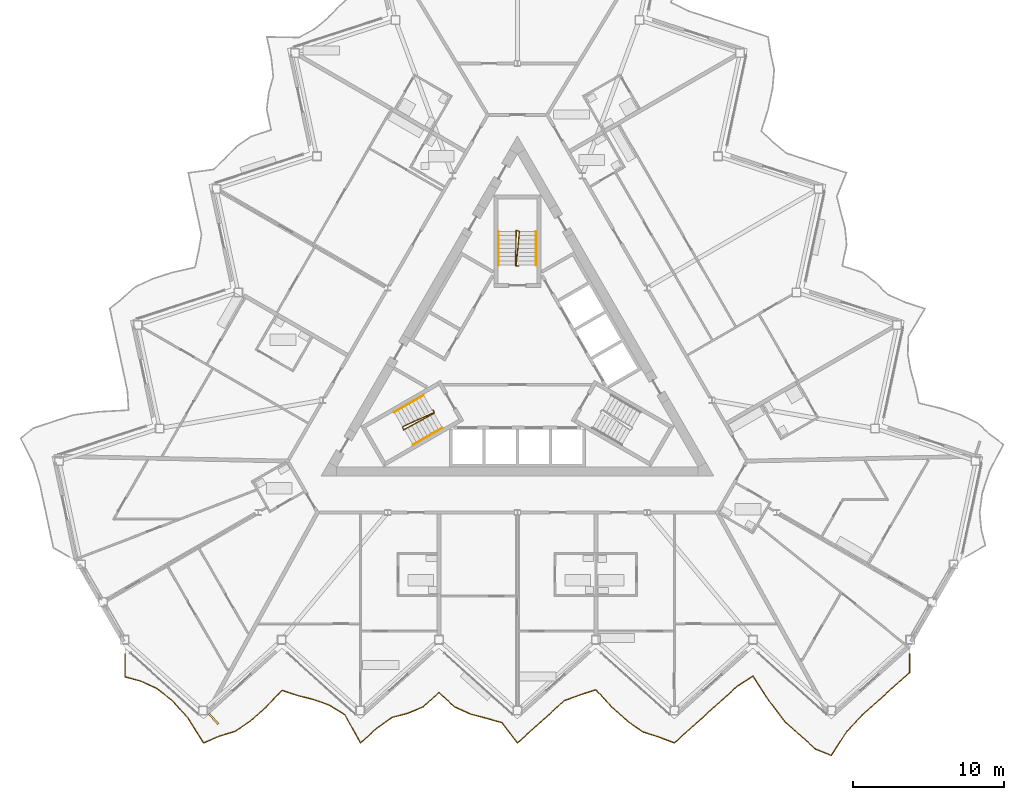
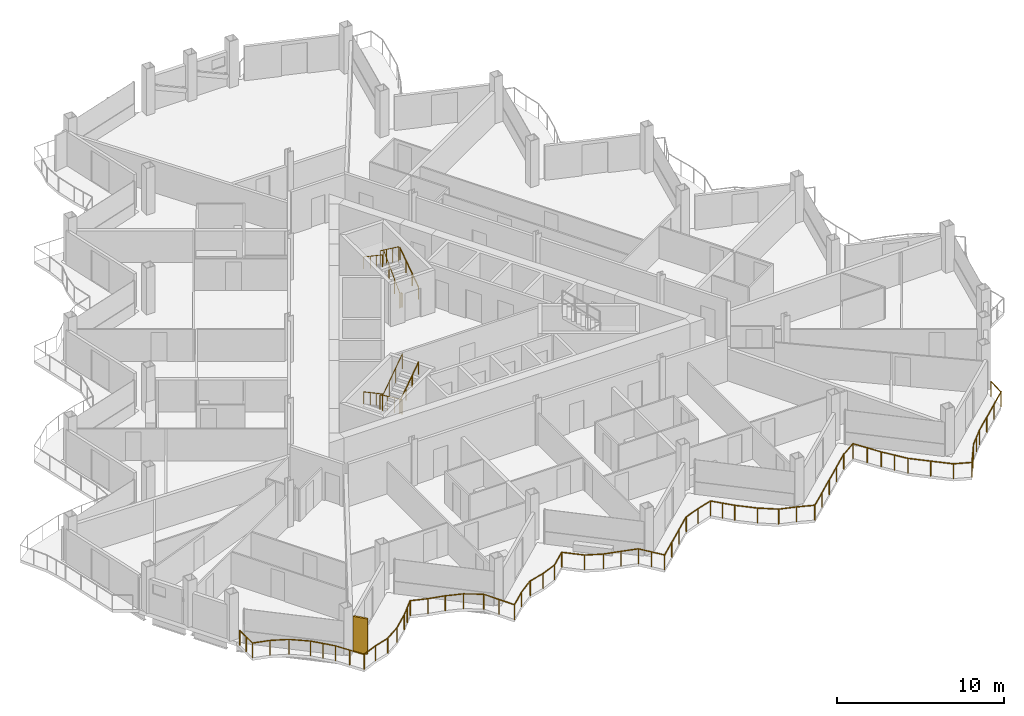
# One storey, part 23 of 27: 7 railings, 1 shading device.
"""IFC4 building model written with IfcOpenShell, lengths in metres."""

from ifc_helpers import new_model, si_unit, direction, frame, origin, origin_2d, place, context, subcontext, project, spatial, rectangle, circle, extrude, material, layer, layer_set, type_object, element, save


model = new_model("IFC4")

# Units and contexts
model_context = context("Model", 3, precision=1e-05, world=origin(), true_north=direction((0.0, 1.0)))
body_context = subcontext(model_context, "Body", "Model", "MODEL_VIEW")
ifc_project = project(units=[si_unit("LENGTHUNIT", "METRE"), si_unit("AREAUNIT", "SQUARE_METRE"), si_unit("VOLUMEUNIT", "CUBIC_METRE"), si_unit("PLANEANGLEUNIT", "RADIAN"), si_unit("MASSUNIT", "GRAM", prefix="KILO")], contexts=[model_context])

# Site, building, storey
site_placement = place(None, origin())
site = spatial("IfcSite", under=ifc_project, at=site_placement, CompositionType="ELEMENT")
building_placement = place(site_placement, origin())
building = spatial("IfcBuilding", under=site, at=building_placement, Name="Cormorant Prow Tower", CompositionType="ELEMENT")
storey_placement = place(building_placement, frame((0.0, 0.0, 312.0)))
storey = spatial("IfcBuildingStorey", under=building, at=storey_placement, Name="L68", CompositionType="ELEMENT", Elevation=312.0)

# Railings
ifc_material_1 = material(Name="Aluminium 6063-T6", Category="aluminium")
railing_type_1 = type_object("IfcRailingType", Name="Balcony guard 1100", PredefinedType="GUARDRAIL", material=ifc_material_1)
railing_1_placement = place(storey_placement, frame((-25.964111328125, -19.2666015625, 0.0)))
element("IfcRailing", 1, at=railing_1_placement, inside=storey, type_object=railing_type_1, Name="Balcony guard S", PredefinedType="GUARDRAIL", context=body_context, shape_type="SweptSolid", body=[
    extrude(circle(Radius=0.02392578125, at=origin_2d()), frame((0.0, 0.0, 1.076171875), z_axis=(0.0, -1.0, 0.0), x_axis=(1.0, 0.0, 0.0)), (0.0, 0.0, 1.0), 1.52001953125),
    extrude(circle(Radius=0.02392578125, at=origin_2d()), frame((0.0, -1.52001953125, 1.076171875), z_axis=(0.964831830716, -0.262867910625, 0.0), x_axis=(0.262867910625, 0.964831830716, 0.0)), (0.0, 0.0, 1.0), 1.076416015625),
    extrude(circle(Radius=0.02392578125, at=origin_2d()), frame((1.03857421875, -1.802978515625, 1.076171875), z_axis=(0.909529903983, -0.415638489267, 0.0), x_axis=(0.415638489267, 0.909529903983, 0.0)), (0.0, 0.0, 1.0), 1.141845703125),
    extrude(circle(Radius=0.02392578125, at=origin_2d()), frame((2.0771484375, -2.277587890625, 1.076171875), z_axis=(0.791751393424, -0.610843458679, 0.0), x_axis=(0.610843458679, 0.791751393424, 0.0)), (0.0, 0.0, 1.0), 1.311767578125),
    extrude(circle(Radius=0.02392578125, at=origin_2d()), frame((3.11572265625, -3.078857421875, 1.076171875), z_axis=(0.664654722426, -0.747150654123, 0.0), x_axis=(0.747150654123, 0.664654722426, 0.0)), (0.0, 0.0, 1.0), 1.5625),
    extrude(circle(Radius=0.02392578125, at=origin_2d()), frame((4.154296875, -4.246337890625, 1.076171875), z_axis=(0.532889683399, -0.846184722934, 0.0), x_axis=(0.846184722934, 0.532889683399, 0.0)), (0.0, 0.0, 1.0), 1.948974609375),
    extrude(circle(Radius=0.02392578125, at=origin_2d()), frame((5.19287109375, -5.8955078125, 1.076171875), z_axis=(0.918608052251, 0.395169895538, 0.0), x_axis=(-0.395169895538, 0.918608052251, 0.0)), (0.0, 0.0, 1.0), 1.130615234375),
    extrude(circle(Radius=0.02392578125, at=origin_2d()), frame((6.2314453125, -5.44873046875, 1.076171875), z_axis=(0.956152439164, 0.292869447163, 0.0), x_axis=(-0.292869447163, 0.956152439164, 0.0)), (0.0, 0.0, 1.0), 1.086181640625),
    extrude(circle(Radius=0.02392578125, at=origin_2d()), frame((7.27001953125, -5.130615234375, 1.076171875), z_axis=(0.832772402208, 0.553615503866, 0.0), x_axis=(-0.553615503866, 0.832772402208, 0.0)), (0.0, 0.0, 1.0), 1.2470703125),
    extrude(circle(Radius=0.02392578125, at=origin_2d()), frame((8.30859375, -4.440185546875, 1.076171875), z_axis=(0.743172519809, 0.669099847407, 0.0), x_axis=(-0.669099847407, 0.743172519809, 0.0)), (0.0, 0.0, 1.0), 1.3974609375),
    extrude(circle(Radius=0.02392578125, at=origin_2d()), frame((9.34716796875, -3.505126953125, 1.076171875), z_axis=(0.688817563116, 0.724934731368, 0.0), x_axis=(-0.724934731368, 0.688817563116, 0.0)), (0.0, 0.0, 1.0), 1.50732421875),
    extrude(circle(Radius=0.02392578125, at=origin_2d()), frame((10.385498046875, -2.412353515625, 1.076171875), z_axis=(0.948370798801, -0.317163724252, 0.0), x_axis=(0.317163724252, 0.948370798801, 0.0)), (0.0, 0.0, 1.0), 1.095458984375),
    extrude(circle(Radius=0.02392578125, at=origin_2d()), frame((11.42431640625, -2.759765625, 1.076171875), z_axis=(0.970490410078, -0.241139718724, 0.0), x_axis=(0.241139718724, 0.970490410078, 0.0)), (0.0, 0.0, 1.0), 1.070068359375),
    extrude(circle(Radius=0.02392578125, at=origin_2d()), frame((12.462890625, -3.017822265625, 1.076171875), z_axis=(0.942785531899, -0.333399821297, 0.0), x_axis=(0.333399821297, 0.942785531899, 0.0)), (0.0, 0.0, 1.0), 1.101318359375),
    extrude(circle(Radius=0.02392578125, at=origin_2d()), frame((13.501220703125, -3.385009765625, 1.076171875), z_axis=(0.850035108532, -0.526726033402, 0.0), x_axis=(0.526726033402, 0.850035108532, 0.0)), (0.0, 0.0, 1.0), 1.2216796875),
    extrude(circle(Radius=0.02392578125, at=origin_2d()), frame((14.539794921875, -4.028564453125, 1.076171875), z_axis=(0.486224960998, -0.873833672562, 0.0), x_axis=(0.873833672562, 0.486224960998, 0.0)), (0.0, 0.0, 1.0), 2.136474609375),
    extrude(circle(Radius=0.02392578125, at=origin_2d()), frame((15.57861328125, -5.8955078125, 1.076171875), z_axis=(0.743094292463, 0.669186724696, 0.0), x_axis=(-0.669186724696, 0.743094292463, 0.0)), (0.0, 0.0, 1.0), 1.397216796875),
    extrude(circle(Radius=0.02392578125, at=origin_2d()), frame((16.616943359375, -4.96044921875, 1.076171875), z_axis=(0.809352688534, 0.587322931242, 0.0), x_axis=(-0.587322931242, 0.809352688534, 0.0)), (0.0, 0.0, 1.0), 1.283203125),
    extrude(circle(Radius=0.02392578125, at=origin_2d()), frame((17.655517578125, -4.206787109375, 1.076171875), z_axis=(0.96810124115, 0.250559348027, 0.0), x_axis=(-0.250559348027, 0.96810124115, 0.0)), (0.0, 0.0, 1.0), 1.07275390625),
    extrude(circle(Radius=0.02392578125, at=origin_2d()), frame((18.694091796875, -3.93798828125, 1.076171875), z_axis=(0.92303840106, 0.384707824419, 0.0), x_axis=(-0.384707824419, 0.92303840106, 0.0)), (0.0, 0.0, 1.0), 1.125244140625),
    extrude(circle(Radius=0.02392578125, at=origin_2d()), frame((19.732666015625, -3.505126953125, 1.076171875), z_axis=(0.743085653119, 0.669196318077, 0.0), x_axis=(-0.669196318077, 0.743085653119, 0.0)), (0.0, 0.0, 1.0), 1.397705078125),
    extrude(circle(Radius=0.02392578125, at=origin_2d()), frame((20.771240234375, -2.56982421875, 1.076171875), z_axis=(0.743085653119, -0.669196318077, 0.0), x_axis=(0.669196318077, 0.743085653119, 0.0)), (0.0, 0.0, 1.0), 1.397705078125),
    extrude(circle(Radius=0.02392578125, at=origin_2d()), frame((21.809814453125, -3.505126953125, 1.076171875), z_axis=(0.908963631122, -0.416875421796, 0.0), x_axis=(0.416875421796, 0.908963631122, 0.0)), (0.0, 0.0, 1.0), 1.142578125),
    extrude(circle(Radius=0.02392578125, at=origin_2d()), frame((22.848388671875, -3.9814453125, 1.076171875), z_axis=(0.966989093264, -0.254817765291, 0.0), x_axis=(0.254817765291, 0.966989093264, 0.0)), (0.0, 0.0, 1.0), 1.073974609375),
    extrude(circle(Radius=0.02392578125, at=origin_2d()), frame((23.886962890625, -4.255126953125, 1.076171875), z_axis=(0.962085193341, -0.272749116871, 0.0), x_axis=(0.272749116871, 0.962085193341, 0.0)), (0.0, 0.0, 1.0), 1.07958984375),
    extrude(circle(Radius=0.02392578125, at=origin_2d()), frame((24.925537109375, -4.549560546875, 1.076171875), z_axis=(0.610903768439, -0.791704860227, 0.0), x_axis=(0.791704860227, 0.610903768439, 0.0)), (0.0, 0.0, 1.0), 1.699951171875),
    extrude(circle(Radius=0.02392578125, at=origin_2d()), frame((25.964111328125, -5.8955078125, 1.076171875), z_axis=(0.743172519809, 0.669099847407, 0.0), x_axis=(-0.669099847407, 0.743172519809, 0.0)), (0.0, 0.0, 1.0), 1.3974609375),
    extrude(circle(Radius=0.02392578125, at=origin_2d()), frame((27.002685546875, -4.96044921875, 1.076171875), z_axis=(0.743172519809, 0.669099847407, 0.0), x_axis=(-0.669099847407, 0.743172519809, 0.0)), (0.0, 0.0, 1.0), 1.3974609375),
    extrude(circle(Radius=0.02392578125, at=origin_2d()), frame((28.041259765625, -4.025390625, 1.076171875), z_axis=(0.743085653119, 0.669196318077, 0.0), x_axis=(-0.669196318077, 0.743085653119, 0.0)), (0.0, 0.0, 1.0), 1.397705078125),
    extrude(circle(Radius=0.02392578125, at=origin_2d()), frame((29.079833984375, -3.090087890625, 1.076171875), z_axis=(0.939786973148, 0.341760801001, 0.0), x_axis=(-0.341760801001, 0.939786973148, 0.0)), (0.0, 0.0, 1.0), 1.105224609375),
    extrude(circle(Radius=0.02392578125, at=origin_2d()), frame((30.118408203125, -2.71240234375, 1.076171875), z_axis=(0.951790825534, 0.306747818948, 0.0), x_axis=(-0.306747818948, 0.951790825534, 0.0)), (0.0, 0.0, 1.0), 1.091064453125),
    extrude(circle(Radius=0.02392578125, at=origin_2d()), frame((31.156982421875, -2.377685546875, 1.076171875), z_axis=(0.677525640029, -0.735499155067, 0.0), x_axis=(0.735499155067, 0.677525640029, 0.0)), (0.0, 0.0, 1.0), 1.532958984375),
    extrude(circle(Radius=0.02392578125, at=origin_2d()), frame((32.195556640625, -3.505126953125, 1.076171875), z_axis=(0.743172519809, -0.669099847407, 0.0), x_axis=(0.669099847407, 0.743172519809, 0.0)), (0.0, 0.0, 1.0), 1.3974609375),
    extrude(circle(Radius=0.02392578125, at=origin_2d()), frame((33.234130859375, -4.440185546875, 1.076171875), z_axis=(0.819213825821, -0.573488193064, 0.0), x_axis=(0.573488193064, 0.819213825821, 0.0)), (0.0, 0.0, 1.0), 1.267822265625),
    extrude(circle(Radius=0.02392578125, at=origin_2d()), frame((34.272705078125, -5.167236328125, 1.076171875), z_axis=(0.953219614945, -0.302278622605, 0.0), x_axis=(0.302278622605, 0.953219614945, 0.0)), (0.0, 0.0, 1.0), 1.089599609375),
    extrude(circle(Radius=0.02392578125, at=origin_2d()), frame((35.311279296875, -5.49658203125, 1.076171875), z_axis=(0.933475652817, -0.358640775148, 0.0), x_axis=(0.358640775148, 0.933475652817, 0.0)), (0.0, 0.0, 1.0), 1.1123046875),
    extrude(circle(Radius=0.02392578125, at=origin_2d()), frame((36.349609375, -5.8955078125, 1.076171875), z_axis=(0.743250716693, 0.669012983533, 0.0), x_axis=(-0.669012983533, 0.743250716693, 0.0)), (0.0, 0.0, 1.0), 1.397705078125),
    extrude(circle(Radius=0.02392578125, at=origin_2d()), frame((37.388427734375, -4.96044921875, 1.076171875), z_axis=(0.743172519809, 0.669099847407, 0.0), x_axis=(-0.669099847407, 0.743172519809, 0.0)), (0.0, 0.0, 1.0), 1.3974609375),
    extrude(circle(Radius=0.02392578125, at=origin_2d()), frame((38.427001953125, -4.025390625, 1.076171875), z_axis=(0.743007412363, 0.669283187577, 0.0), x_axis=(-0.669283187577, 0.743007412363, 0.0)), (0.0, 0.0, 1.0), 1.3974609375),
    extrude(circle(Radius=0.02392578125, at=origin_2d()), frame((39.46533203125, -3.090087890625, 1.076171875), z_axis=(0.743172519809, 0.669099847407, 0.0), x_axis=(-0.669099847407, 0.743172519809, 0.0)), (0.0, 0.0, 1.0), 1.3974609375),
    extrude(circle(Radius=0.02392578125, at=origin_2d()), frame((40.50390625, -2.155029296875, 1.076171875), z_axis=(0.835357772221, 0.549706642119, 0.0), x_axis=(-0.549706642119, 0.835357772221, 0.0)), (0.0, 0.0, 1.0), 1.24365234375),
    extrude(circle(Radius=0.02392578125, at=origin_2d()), frame((41.542724609375, -1.471435546875, 1.076171875), z_axis=(0.54587228611, -0.837868394951, 0.0), x_axis=(0.837868394951, 0.54587228611, 0.0)), (0.0, 0.0, 1.0), 1.902099609375),
    extrude(circle(Radius=0.02392578125, at=origin_2d()), frame((42.5810546875, -3.065185546875, 1.076171875), z_axis=(0.602716832864, -0.797955148728, 0.0), x_axis=(0.797955148728, 0.602716832864, 0.0)), (0.0, 0.0, 1.0), 1.72314453125),
    extrude(circle(Radius=0.02392578125, at=origin_2d()), frame((43.61962890625, -4.440185546875, 1.076171875), z_axis=(0.743172519809, -0.669099847407, 0.0), x_axis=(0.669099847407, 0.743172519809, 0.0)), (0.0, 0.0, 1.0), 1.3974609375),
    extrude(circle(Radius=0.02392578125, at=origin_2d()), frame((44.658203125, -5.375244140625, 1.076171875), z_axis=(0.746043449511, -0.665897267934, 0.0), x_axis=(0.665897267934, 0.746043449511, 0.0)), (0.0, 0.0, 1.0), 1.39208984375),
    extrude(circle(Radius=0.02392578125, at=origin_2d()), frame((45.69677734375, -6.30224609375, 1.076171875), z_axis=(0.926556741074, -0.37615502864, 0.0), x_axis=(0.37615502864, 0.926556741074, 0.0)), (0.0, 0.0, 1.0), 1.120849609375),
    extrude(circle(Radius=0.02392578125, at=origin_2d()), frame((46.7353515625, -6.723876953125, 1.076171875), z_axis=(0.543622130195, 0.839330077837, 0.0), x_axis=(-0.839330077837, 0.543622130195, 0.0)), (0.0, 0.0, 1.0), 1.910400390625),
    extrude(circle(Radius=0.02392578125, at=origin_2d()), frame((47.77392578125, -5.120361328125, 1.076171875), z_axis=(0.688175287314, 0.725544467232, 0.0), x_axis=(-0.725544467232, 0.688175287314, 0.0)), (0.0, 0.0, 1.0), 1.50927734375),
    extrude(circle(Radius=0.02392578125, at=origin_2d()), frame((48.8125, -4.025390625, 1.076171875), z_axis=(0.743085653119, 0.669196318077, 0.0), x_axis=(-0.669196318077, 0.743085653119, 0.0)), (0.0, 0.0, 1.0), 1.397705078125),
    extrude(circle(Radius=0.02392578125, at=origin_2d()), frame((49.85107421875, -3.090087890625, 1.076171875), z_axis=(0.743172519809, 0.669099847407, 0.0), x_axis=(-0.669099847407, 0.743172519809, 0.0)), (0.0, 0.0, 1.0), 1.3974609375),
    extrude(circle(Radius=0.02392578125, at=origin_2d()), frame((50.8896484375, -2.155029296875, 1.076171875), z_axis=(0.743172519809, 0.669099847407, 0.0), x_axis=(-0.669099847407, 0.743172519809, 0.0)), (0.0, 0.0, 1.0), 1.3974609375),
    extrude(circle(Radius=0.02392578125, at=origin_2d()), frame((51.92822265625, -1.219970703125, 1.076171875), z_axis=(0.0, 1.0, 0.0), x_axis=(-1.0, 0.0, 0.0)), (0.0, 0.0, 1.0), 1.219970703125),
    extrude(circle(Radius=0.02099609375, at=origin_2d()), origin(), (0.0, 0.0, 1.0), 1.052001953125),
    extrude(circle(Radius=0.02099609375, at=origin_2d()), frame((0.0, -0.760009765625, 0.0)), (0.0, 0.0, 1.0), 1.052001953125),
    extrude(circle(Radius=0.02099609375, at=origin_2d()), frame((0.0, -1.52001953125, 0.0)), (0.0, 0.0, 1.0), 1.052001953125),
    extrude(circle(Radius=0.02099609375, at=origin_2d()), frame((1.03857421875, -1.802978515625, 0.0)), (0.0, 0.0, 1.0), 1.052001953125),
    extrude(circle(Radius=0.02099609375, at=origin_2d()), frame((2.0771484375, -2.277587890625, 0.0)), (0.0, 0.0, 1.0), 1.052001953125),
    extrude(circle(Radius=0.02099609375, at=origin_2d()), frame((3.11572265625, -3.078857421875, 0.0)), (0.0, 0.0, 1.0), 1.052001953125),
    extrude(circle(Radius=0.02099609375, at=origin_2d()), frame((3.635009765625, -3.66259765625, 0.0)), (0.0, 0.0, 1.0), 1.052001953125),
    extrude(circle(Radius=0.02099609375, at=origin_2d()), frame((4.154296875, -4.246337890625, 0.0)), (0.0, 0.0, 1.0), 1.052001953125),
    extrude(circle(Radius=0.02099609375, at=origin_2d()), frame((4.673583984375, -5.07080078125, 0.0)), (0.0, 0.0, 1.0), 1.052001953125),
    extrude(circle(Radius=0.02099609375, at=origin_2d()), frame((5.19287109375, -5.8955078125, 0.0)), (0.0, 0.0, 1.0), 1.052001953125),
    extrude(circle(Radius=0.02099609375, at=origin_2d()), frame((6.2314453125, -5.44873046875, 0.0)), (0.0, 0.0, 1.0), 1.052001953125),
    extrude(circle(Radius=0.02099609375, at=origin_2d()), frame((7.27001953125, -5.130615234375, 0.0)), (0.0, 0.0, 1.0), 1.052001953125),
    extrude(circle(Radius=0.02099609375, at=origin_2d()), frame((8.30859375, -4.440185546875, 0.0)), (0.0, 0.0, 1.0), 1.052001953125),
    extrude(circle(Radius=0.02099609375, at=origin_2d()), frame((9.34716796875, -3.505126953125, 0.0)), (0.0, 0.0, 1.0), 1.052001953125),
    extrude(circle(Radius=0.02099609375, at=origin_2d()), frame((9.8662109375, -2.958740234375, 0.0)), (0.0, 0.0, 1.0), 1.052001953125),
    extrude(circle(Radius=0.02099609375, at=origin_2d()), frame((10.385498046875, -2.412353515625, 0.0)), (0.0, 0.0, 1.0), 1.052001953125),
    extrude(circle(Radius=0.02099609375, at=origin_2d()), frame((11.42431640625, -2.759765625, 0.0)), (0.0, 0.0, 1.0), 1.052001953125),
    extrude(circle(Radius=0.02099609375, at=origin_2d()), frame((12.462890625, -3.017822265625, 0.0)), (0.0, 0.0, 1.0), 1.052001953125),
    extrude(circle(Radius=0.02099609375, at=origin_2d()), frame((13.501220703125, -3.385009765625, 0.0)), (0.0, 0.0, 1.0), 1.052001953125),
    extrude(circle(Radius=0.02099609375, at=origin_2d()), frame((14.539794921875, -4.028564453125, 0.0)), (0.0, 0.0, 1.0), 1.052001953125),
    extrude(circle(Radius=0.02099609375, at=origin_2d()), frame((15.05908203125, -4.9619140625, 0.0)), (0.0, 0.0, 1.0), 1.052001953125),
    extrude(circle(Radius=0.02099609375, at=origin_2d()), frame((15.57861328125, -5.8955078125, 0.0)), (0.0, 0.0, 1.0), 1.052001953125),
    extrude(circle(Radius=0.02099609375, at=origin_2d()), frame((16.616943359375, -4.96044921875, 0.0)), (0.0, 0.0, 1.0), 1.052001953125),
    extrude(circle(Radius=0.02099609375, at=origin_2d()), frame((17.655517578125, -4.206787109375, 0.0)), (0.0, 0.0, 1.0), 1.052001953125),
    extrude(circle(Radius=0.02099609375, at=origin_2d()), frame((18.694091796875, -3.93798828125, 0.0)), (0.0, 0.0, 1.0), 1.052001953125),
    extrude(circle(Radius=0.02099609375, at=origin_2d()), frame((19.732666015625, -3.505126953125, 0.0)), (0.0, 0.0, 1.0), 1.052001953125),
    extrude(circle(Radius=0.02099609375, at=origin_2d()), frame((20.771240234375, -2.56982421875, 0.0)), (0.0, 0.0, 1.0), 1.052001953125),
    extrude(circle(Radius=0.02099609375, at=origin_2d()), frame((21.809814453125, -3.505126953125, 0.0)), (0.0, 0.0, 1.0), 1.052001953125),
    extrude(circle(Radius=0.02099609375, at=origin_2d()), frame((22.848388671875, -3.9814453125, 0.0)), (0.0, 0.0, 1.0), 1.052001953125),
    extrude(circle(Radius=0.02099609375, at=origin_2d()), frame((23.886962890625, -4.255126953125, 0.0)), (0.0, 0.0, 1.0), 1.052001953125),
    extrude(circle(Radius=0.02099609375, at=origin_2d()), frame((24.925537109375, -4.549560546875, 0.0)), (0.0, 0.0, 1.0), 1.052001953125),
    extrude(circle(Radius=0.02099609375, at=origin_2d()), frame((25.44482421875, -5.22265625, 0.0)), (0.0, 0.0, 1.0), 1.052001953125),
    extrude(circle(Radius=0.02099609375, at=origin_2d()), frame((25.964111328125, -5.8955078125, 0.0)), (0.0, 0.0, 1.0), 1.052001953125),
    extrude(circle(Radius=0.02099609375, at=origin_2d()), frame((27.002685546875, -4.96044921875, 0.0)), (0.0, 0.0, 1.0), 1.052001953125),
    extrude(circle(Radius=0.02099609375, at=origin_2d()), frame((28.041259765625, -4.025390625, 0.0)), (0.0, 0.0, 1.0), 1.052001953125),
    extrude(circle(Radius=0.02099609375, at=origin_2d()), frame((29.079833984375, -3.090087890625, 0.0)), (0.0, 0.0, 1.0), 1.052001953125),
    extrude(circle(Radius=0.02099609375, at=origin_2d()), frame((30.118408203125, -2.71240234375, 0.0)), (0.0, 0.0, 1.0), 1.052001953125),
    extrude(circle(Radius=0.02099609375, at=origin_2d()), frame((31.156982421875, -2.377685546875, 0.0)), (0.0, 0.0, 1.0), 1.052001953125),
    extrude(circle(Radius=0.02099609375, at=origin_2d()), frame((31.67626953125, -2.94140625, 0.0)), (0.0, 0.0, 1.0), 1.052001953125),
    extrude(circle(Radius=0.02099609375, at=origin_2d()), frame((32.195556640625, -3.505126953125, 0.0)), (0.0, 0.0, 1.0), 1.052001953125),
    extrude(circle(Radius=0.02099609375, at=origin_2d()), frame((33.234130859375, -4.440185546875, 0.0)), (0.0, 0.0, 1.0), 1.052001953125),
    extrude(circle(Radius=0.02099609375, at=origin_2d()), frame((34.272705078125, -5.167236328125, 0.0)), (0.0, 0.0, 1.0), 1.052001953125),
    extrude(circle(Radius=0.02099609375, at=origin_2d()), frame((35.311279296875, -5.49658203125, 0.0)), (0.0, 0.0, 1.0), 1.052001953125),
    extrude(circle(Radius=0.02099609375, at=origin_2d()), frame((36.349609375, -5.8955078125, 0.0)), (0.0, 0.0, 1.0), 1.052001953125),
    extrude(circle(Radius=0.02099609375, at=origin_2d()), frame((37.388427734375, -4.96044921875, 0.0)), (0.0, 0.0, 1.0), 1.052001953125),
    extrude(circle(Radius=0.02099609375, at=origin_2d()), frame((38.427001953125, -4.025390625, 0.0)), (0.0, 0.0, 1.0), 1.052001953125),
    extrude(circle(Radius=0.02099609375, at=origin_2d()), frame((39.46533203125, -3.090087890625, 0.0)), (0.0, 0.0, 1.0), 1.052001953125),
    extrude(circle(Radius=0.02099609375, at=origin_2d()), frame((40.50390625, -2.155029296875, 0.0)), (0.0, 0.0, 1.0), 1.052001953125),
    extrude(circle(Radius=0.02099609375, at=origin_2d()), frame((41.542724609375, -1.471435546875, 0.0)), (0.0, 0.0, 1.0), 1.052001953125),
    extrude(circle(Radius=0.02099609375, at=origin_2d()), frame((42.06201171875, -2.268310546875, 0.0)), (0.0, 0.0, 1.0), 1.052001953125),
    extrude(circle(Radius=0.02099609375, at=origin_2d()), frame((42.5810546875, -3.065185546875, 0.0)), (0.0, 0.0, 1.0), 1.052001953125),
    extrude(circle(Radius=0.02099609375, at=origin_2d()), frame((43.100341796875, -3.752685546875, 0.0)), (0.0, 0.0, 1.0), 1.052001953125),
    extrude(circle(Radius=0.02099609375, at=origin_2d()), frame((43.61962890625, -4.440185546875, 0.0)), (0.0, 0.0, 1.0), 1.052001953125),
    extrude(circle(Radius=0.02099609375, at=origin_2d()), frame((44.658203125, -5.375244140625, 0.0)), (0.0, 0.0, 1.0), 1.052001953125),
    extrude(circle(Radius=0.02099609375, at=origin_2d()), frame((45.69677734375, -6.30224609375, 0.0)), (0.0, 0.0, 1.0), 1.052001953125),
    extrude(circle(Radius=0.02099609375, at=origin_2d()), frame((46.7353515625, -6.723876953125, 0.0)), (0.0, 0.0, 1.0), 1.052001953125),
    extrude(circle(Radius=0.02099609375, at=origin_2d()), frame((47.254638671875, -5.922119140625, 0.0)), (0.0, 0.0, 1.0), 1.052001953125),
    extrude(circle(Radius=0.02099609375, at=origin_2d()), frame((47.77392578125, -5.120361328125, 0.0)), (0.0, 0.0, 1.0), 1.052001953125),
    extrude(circle(Radius=0.02099609375, at=origin_2d()), frame((48.293212890625, -4.57275390625, 0.0)), (0.0, 0.0, 1.0), 1.052001953125),
    extrude(circle(Radius=0.02099609375, at=origin_2d()), frame((48.8125, -4.025390625, 0.0)), (0.0, 0.0, 1.0), 1.052001953125),
    extrude(circle(Radius=0.02099609375, at=origin_2d()), frame((49.85107421875, -3.090087890625, 0.0)), (0.0, 0.0, 1.0), 1.052001953125),
    extrude(circle(Radius=0.02099609375, at=origin_2d()), frame((50.8896484375, -2.155029296875, 0.0)), (0.0, 0.0, 1.0), 1.052001953125),
    extrude(circle(Radius=0.02099609375, at=origin_2d()), frame((51.92822265625, -1.219970703125, 0.0)), (0.0, 0.0, 1.0), 1.052001953125),
    extrude(circle(Radius=0.02099609375, at=origin_2d()), frame((51.92822265625, 0.0, 0.0)), (0.0, 0.0, 1.0), 1.052001953125),
])
ifc_material_2 = material(Name="Stainless steel", Category="steel")
railing_type_2 = type_object("IfcRailingType", Name="Stair guard 1100", PredefinedType="GUARDRAIL", material=ifc_material_2)
railing_2_placement = place(storey_placement, frame((-5.585205078125, -3.137939453125, 0.0)))
element("IfcRailing", 2, at=railing_2_placement, inside=storey, type_object=railing_type_2, Name="L68 ST1 stair guard 1", PredefinedType="GUARDRAIL", context=body_context, shape_type="SweptSolid", body=[
    extrude(circle(Radius=0.02392578125, at=origin_2d()), frame((0.0, 0.0, 1.076171875), z_axis=(0.501036270542, -0.865426285481, 0.0), x_axis=(0.865426285481, 0.501036270542, 0.0)), (0.0, 0.0, 1.0), 0.150146484375),
    extrude(circle(Radius=0.02392578125, at=origin_2d()), frame((0.0751953125, -0.1298828125, 1.076171875), z_axis=(-0.728641035543, -0.339941399566, 0.594577233152), x_axis=(0.422792438952, -0.906226546491, 0.0)), (0.0, 0.0, 1.0), 2.859130859375),
    extrude(circle(Radius=0.02392578125, at=origin_2d()), frame((-2.008056640625, -1.101806640625, 2.77587890625), z_axis=(0.275034262293, -0.961434425515, 0.0), x_axis=(0.961434425515, 0.275034262293, 0.0)), (0.0, 0.0, 1.0), 0.2060546875),
    extrude(circle(Radius=0.02392578125, at=origin_2d()), frame((-1.951416015625, -1.2998046875, 2.77587890625), z_axis=(0.704058451865, 0.386179398835, 0.595959032378), x_axis=(-0.480911908544, 0.87676891837, 0.0)), (0.0, 0.0, 1.0), 2.8525390625),
    extrude(circle(Radius=0.02099609375, at=origin_2d()), origin(), (0.0, 0.0, 1.0), 1.052001953125),
    extrude(circle(Radius=0.02099609375, at=origin_2d()), frame((0.0751953125, -0.1298828125, 0.0)), (0.0, 0.0, 1.0), 1.052001953125),
    extrude(circle(Radius=0.02099609375, at=origin_2d()), frame((-0.619140625, -0.453857421875, 0.566650390625)), (0.0, 0.0, 1.0), 1.052001953125),
    extrude(circle(Radius=0.02099609375, at=origin_2d()), frame((-1.313720703125, -0.77783203125, 1.13330078125)), (0.0, 0.0, 1.0), 1.052001953125),
    extrude(circle(Radius=0.02099609375, at=origin_2d()), frame((-2.008056640625, -1.101806640625, 1.699951171875)), (0.0, 0.0, 1.0), 1.052001953125),
    extrude(circle(Radius=0.02099609375, at=origin_2d()), frame((-1.951416015625, -1.2998046875, 1.699951171875)), (0.0, 0.0, 1.0), 1.052001953125),
    extrude(circle(Radius=0.02099609375, at=origin_2d()), frame((-1.281982421875, -0.9326171875, 2.2666015625)), (0.0, 0.0, 1.0), 1.052001953125),
    extrude(circle(Radius=0.02099609375, at=origin_2d()), frame((-0.612548828125, -0.5654296875, 2.833251953125)), (0.0, 0.0, 1.0), 1.052001953125),
    extrude(circle(Radius=0.02099609375, at=origin_2d()), frame((0.056884765625, -0.1982421875, 3.39990234375)), (0.0, 0.0, 1.0), 1.052001953125),
])
railing_3_placement = place(storey_placement, frame((0.074951171875, 6.40576171875, 0.0)))
element("IfcRailing", 3, at=railing_3_placement, inside=storey, type_object=railing_type_2, Name="L68 ST3 stair guard 1", PredefinedType="GUARDRAIL", context=body_context, shape_type="SweptSolid", body=[
    extrude(circle(Radius=0.02392578125, at=origin_2d()), frame((0.0, 0.0, 1.076171875), z_axis=(-1.0, 0.0, 0.0), x_axis=(0.0, -1.0, 0.0)), (0.0, 0.0, 1.0), 0.14990234375),
    extrude(circle(Radius=0.02392578125, at=origin_2d()), frame((-0.14990234375, 0.0, 1.076171875), z_axis=(0.069936542308, 0.800982621307, 0.594588698525), x_axis=(-0.996209839609, 0.086982500921, 0.0)), (0.0, 0.0, 1.0), 2.859130859375),
    extrude(circle(Radius=0.02392578125, at=origin_2d()), frame((0.050048828125, 2.2900390625, 2.77587890625), z_axis=(-0.970072785993, 0.242814311512, 0.0), x_axis=(-0.242814311512, -0.970072785993, 0.0)), (0.0, 0.0, 1.0), 0.2060546875),
    extrude(circle(Radius=0.02392578125, at=origin_2d()), frame((-0.14990234375, 2.340087890625, 2.77587890625), z_axis=(-0.017545750742, -0.80282508275, 0.595956402045), x_axis=(0.999761264773, -0.0218497931, 0.0)), (0.0, 0.0, 1.0), 2.8525390625),
    extrude(circle(Radius=0.02099609375, at=origin_2d()), origin(), (0.0, 0.0, 1.0), 1.052001953125),
    extrude(circle(Radius=0.02099609375, at=origin_2d()), frame((-0.14990234375, 0.0, 0.0)), (0.0, 0.0, 1.0), 1.052001953125),
    extrude(circle(Radius=0.02099609375, at=origin_2d()), frame((-0.083251953125, 0.763427734375, 0.566650390625)), (0.0, 0.0, 1.0), 1.052001953125),
    extrude(circle(Radius=0.02099609375, at=origin_2d()), frame((-0.0166015625, 1.526611328125, 1.13330078125)), (0.0, 0.0, 1.0), 1.052001953125),
    extrude(circle(Radius=0.02099609375, at=origin_2d()), frame((0.050048828125, 2.2900390625, 1.699951171875)), (0.0, 0.0, 1.0), 1.052001953125),
    extrude(circle(Radius=0.02099609375, at=origin_2d()), frame((-0.14990234375, 2.340087890625, 1.699951171875)), (0.0, 0.0, 1.0), 1.052001953125),
    extrude(circle(Radius=0.02099609375, at=origin_2d()), frame((-0.16650390625, 1.57666015625, 2.2666015625)), (0.0, 0.0, 1.0), 1.052001953125),
    extrude(circle(Radius=0.02099609375, at=origin_2d()), frame((-0.183349609375, 0.8134765625, 2.833251953125)), (0.0, 0.0, 1.0), 1.052001953125),
    extrude(circle(Radius=0.02099609375, at=origin_2d()), frame((-0.199951171875, 0.050048828125, 3.39990234375)), (0.0, 0.0, 1.0), 1.052001953125),
])
ifc_material_3 = material(Name="Stainless steel", Category="steel")
railing_type_3 = type_object("IfcRailingType", Name="Stair handrail 900", PredefinedType="HANDRAIL", material=ifc_material_3)
railing_4_placement = place(storey_placement, frame((-6.212890625, -2.150634765625, 0.18896484375)))
element("IfcRailing", 4, at=railing_4_placement, inside=storey, type_object=railing_type_3, Name="L68 ST1 stair handrail 1", PredefinedType="HANDRAIL", context=body_context, shape_type="SweptSolid", body=[
    extrude(circle(Radius=0.02392578125, at=origin_2d()), frame((0.0, 0.0, 0.8759765625), z_axis=(-0.717976596433, -0.414467486514, 0.559219375198), x_axis=(0.49994888933, -0.866054910533, 0.0)), (0.0, 0.0, 1.0), 2.701904296875),
    extrude(circle(Radius=0.02099609375, at=origin_2d()), origin(), (0.0, 0.0, 1.0), 0.851806640625),
    extrude(circle(Radius=0.02099609375, at=origin_2d()), frame((-0.646728515625, -0.373291015625, 0.503662109375)), (0.0, 0.0, 1.0), 0.851806640625),
    extrude(circle(Radius=0.02099609375, at=origin_2d()), frame((-1.293212890625, -0.74658203125, 1.00732421875)), (0.0, 0.0, 1.0), 0.851806640625),
    extrude(circle(Radius=0.02099609375, at=origin_2d()), frame((-1.93994140625, -1.119873046875, 1.510986328125)), (0.0, 0.0, 1.0), 0.851806640625),
])
railing_5_placement = place(storey_placement, frame((-6.90869140625, -5.42529296875, 1.888916015625)))
element("IfcRailing", 5, at=railing_5_placement, inside=storey, type_object=railing_type_3, Name="L68 ST1 stair handrail 2", PredefinedType="HANDRAIL", context=body_context, shape_type="SweptSolid", body=[
    extrude(circle(Radius=0.02392578125, at=origin_2d()), frame((0.0, 0.0, 0.8759765625), z_axis=(0.71790592183, 0.414569209485, 0.559234707389), x_axis=(-0.500077830873, 0.865980463445, 0.0)), (0.0, 0.0, 1.0), 2.701904296875),
    extrude(circle(Radius=0.02099609375, at=origin_2d()), origin(), (0.0, 0.0, 1.0), 0.851806640625),
    extrude(circle(Radius=0.02099609375, at=origin_2d()), frame((0.646484375, 0.373291015625, 0.503662109375)), (0.0, 0.0, 1.0), 0.851806640625),
    extrude(circle(Radius=0.02099609375, at=origin_2d()), frame((1.293212890625, 0.746826171875, 1.00732421875)), (0.0, 0.0, 1.0), 0.851806640625),
    extrude(circle(Radius=0.02099609375, at=origin_2d()), frame((1.939697265625, 1.1201171875, 1.510986328125)), (0.0, 0.0, 1.0), 0.851806640625),
])
railing_6_placement = place(storey_placement, frame((1.243896484375, 6.455810546875, 0.18896484375)))
element("IfcRailing", 6, at=railing_6_placement, inside=storey, type_object=railing_type_3, Name="L68 ST3 stair handrail 1", PredefinedType="HANDRAIL", context=body_context, shape_type="SweptSolid", body=[
    extrude(circle(Radius=0.02392578125, at=origin_2d()), frame((0.0, 0.0, 0.8759765625), z_axis=(0.0, 0.829021472004, 0.559216772778), x_axis=(-1.0, 0.0, 0.0)), (0.0, 0.0, 1.0), 2.701904296875),
    extrude(circle(Radius=0.02099609375, at=origin_2d()), origin(), (0.0, 0.0, 1.0), 0.851806640625),
    extrude(circle(Radius=0.02099609375, at=origin_2d()), frame((0.0, 0.74658203125, 0.503662109375)), (0.0, 0.0, 1.0), 0.851806640625),
    extrude(circle(Radius=0.02099609375, at=origin_2d()), frame((0.0, 1.493408203125, 1.00732421875)), (0.0, 0.0, 1.0), 0.851806640625),
    extrude(circle(Radius=0.02099609375, at=origin_2d()), frame((0.0, 2.239990234375, 1.510986328125)), (0.0, 0.0, 1.0), 0.851806640625),
])
railing_7_placement = place(storey_placement, frame((-1.243896484375, 8.69580078125, 1.888916015625)))
element("IfcRailing", 7, at=railing_7_placement, inside=storey, type_object=railing_type_3, Name="L68 ST3 stair handrail 2", PredefinedType="HANDRAIL", context=body_context, shape_type="SweptSolid", body=[
    extrude(circle(Radius=0.02392578125, at=origin_2d()), frame((0.0, 0.0, 0.8759765625), z_axis=(0.0, -0.829021472004, 0.559216772778), x_axis=(1.0, 0.0, 0.0)), (0.0, 0.0, 1.0), 2.701904296875),
    extrude(circle(Radius=0.02099609375, at=origin_2d()), origin(), (0.0, 0.0, 1.0), 0.851806640625),
    extrude(circle(Radius=0.02099609375, at=origin_2d()), frame((0.0, -0.74658203125, 0.503662109375)), (0.0, 0.0, 1.0), 0.851806640625),
    extrude(circle(Radius=0.02099609375, at=origin_2d()), frame((0.0, -1.493408203125, 1.00732421875)), (0.0, 0.0, 1.0), 0.851806640625),
    extrude(circle(Radius=0.02099609375, at=origin_2d()), frame((0.0, -2.239990234375, 1.510986328125)), (0.0, 0.0, 1.0), 0.851806640625),
])

# Shading device
ifc_material_4 = material(Name="Terracotta", Category="masonry")
ifc_layer = layer(ifc_material_4, 0.1201171875)
ifc_layer_set = layer_set([ifc_layer], Name="Terracotta")
shading_device_type = type_object("IfcShadingDeviceType", Name="Terracotta baguette fin 120x900x2600", PredefinedType="USERDEFINED", material=ifc_layer_set)
shading_device_placement = place(storey_placement, frame((-20.10302734375, -23.566162109375, 0.0), z_axis=(0.0, 0.0, 1.0), x_axis=(0.743144813413, 0.669130619757, 0.0)))
element("IfcShadingDevice", 8, at=shading_device_placement, inside=storey, type_object=shading_device_type, Name="Baguette fin S01", ObjectType="BAGUETTE", PredefinedType="USERDEFINED", context=body_context, shape_type="SweptSolid", body=[
    extrude(rectangle(XDim=0.1201171875, YDim=0.89990234375, at=origin_2d()), origin(), (0.0, 0.0, 1.0), 2.60009765625),
])

save(model, "model.ifc")
